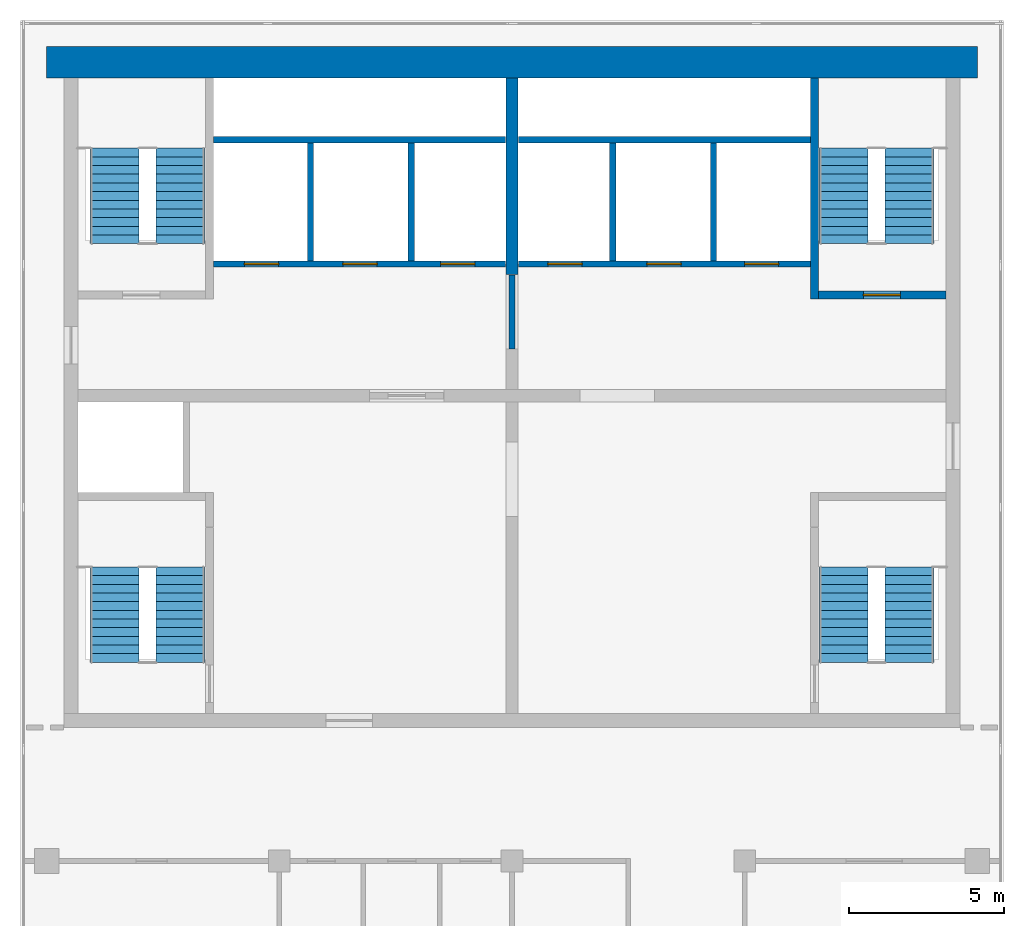
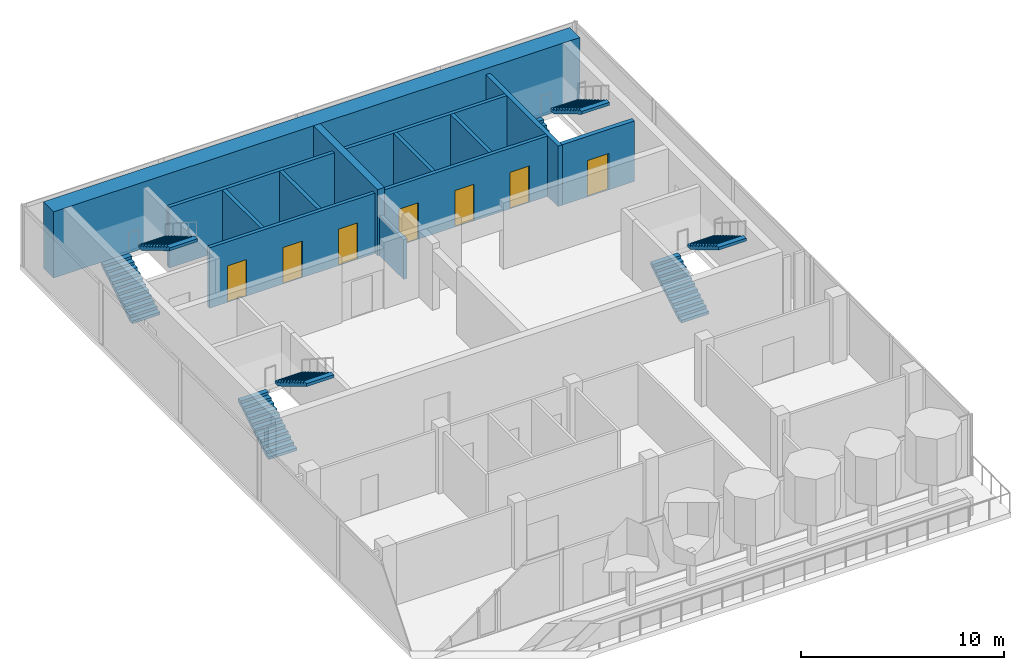
# One storey, part 4 of 6: 13 walls, 8 stair flights, 7 doors, 7 openings, 4 elements without a shape of their own.
"""IFC4 building model written with IfcOpenShell, lengths in metres."""

from ifc_helpers import new_model, si_unit, direction, frame, frame_2d, origin, place, context, subcontext, project, spatial, polyline, rectangle, outline, extrude, material, layer, layer_set, type_object, element, fill, aggregate, save


model = new_model("IFC4")

# Units and contexts
model_context = context("Model", 3, precision=1e-05, world=origin(), true_north=direction((0.0, 1.0)))
body_context = subcontext(model_context, "Body", "Model", "MODEL_VIEW")
ifc_project = project(units=[si_unit("LENGTHUNIT", "METRE"), si_unit("AREAUNIT", "SQUARE_METRE"), si_unit("VOLUMEUNIT", "CUBIC_METRE"), si_unit("PLANEANGLEUNIT", "RADIAN"), si_unit("MASSUNIT", "GRAM", prefix="KILO")], contexts=[model_context])

# Site, building, storey
site_placement = place(None, origin())
site = spatial("IfcSite", under=ifc_project, at=site_placement, CompositionType="ELEMENT")
building_placement = place(site_placement, origin())
building = spatial("IfcBuilding", under=site, at=building_placement, Name="Pilkhan Gate Tower", CompositionType="ELEMENT")
storey_placement = place(building_placement, frame((0.0, 0.0, 283.699951171875)))
storey = spatial("IfcBuildingStorey", under=building, at=storey_placement, Name="L74", CompositionType="ELEMENT", Elevation=283.699951171875)

# Walls
ifc_material_1 = material(Name="Concrete C50/60", Category="concrete")
ifc_layer_1 = layer(ifc_material_1, 1.0)
ifc_layer_set_1 = layer_set([ifc_layer_1], Name="Core wall CW1000 C50/60")
wall_type_1 = type_object("IfcWallType", Name="Core wall CW1000 C50/60", PredefinedType="SHEAR", material=ifc_layer_set_1)
wall_1_placement = place(storey_placement, frame((90.0, 93.25, 0.0), z_axis=(0.0, 0.0, 1.0), x_axis=(-1.0, 0.0, 0.0)))
element("IfcWall", 1, at=wall_1_placement, inside=storey, type_object=wall_type_1, Name="Core wall N L74", PredefinedType="SHEAR", context=body_context, shape_type="SweptSolid", body=[
    extrude(rectangle(XDim=30.0, YDim=1.0, at=frame_2d((15.0, 0.0))), origin(), (0.0, 0.0, 1.0), 4.0),
])
ifc_material_2 = material(Name="Dense blockwork", Category="masonry")
ifc_layer_2 = layer(ifc_material_2, 0.199951171875)
ifc_layer_set_2 = layer_set([ifc_layer_2], Name="Lobby wall LW200")
wall_type_2 = type_object("IfcWallType", Name="Lobby wall LW200", PredefinedType="PARTITIONING", material=ifc_layer_set_2)
wall_2_placement = place(storey_placement, frame((75.0, 84.010009765625, 0.0), z_axis=(0.0, 0.0, 1.0), x_axis=(0.0, 1.0, 0.0)))
element("IfcWall", 2, at=wall_2_placement, inside=storey, type_object=wall_type_2, Name="Partition L74", PredefinedType="PARTITIONING", context=body_context, shape_type="SweptSolid", body=[
    extrude(rectangle(XDim=2.3798828125, YDim=0.199951171875, at=frame_2d((1.18994140625, 0.0))), origin(), (0.0, 0.0, 1.0), 2.400146484375),
])

# Wall, openings, doors
ifc_material_3 = material(Name="Reinforced blockwork shaft wall, 120 minute fire resisting", Category="masonry")
ifc_layer_3 = layer(ifc_material_3, 0.199951171875)
ifc_layer_set_3 = layer_set([ifc_layer_3], Name="Shaft wall SW200")
wall_type_3 = type_object("IfcWallType", Name="Shaft wall SW200", PredefinedType="PARTITIONING", material=ifc_layer_set_3)
wall_3_placement = place(storey_placement, frame((65.375, 86.75, 0.0), z_axis=(0.0, 0.0, 1.0), x_axis=(1.0, 0.0, 0.0)))
wall_3 = element("IfcWall", 3, at=wall_3_placement, inside=storey, type_object=wall_type_3, Name="Partition L74", PredefinedType="PARTITIONING", context=body_context, shape_type="SweptSolid", body=[
    extrude(rectangle(XDim=9.4150390625, YDim=0.199951171875, at=frame_2d((4.70751953125, 0.0))), origin(), (0.0, 0.0, 1.0), 3.650146484375),
])
opening_1_placement = place(wall_3_placement, frame((1.0, 0.0, 0.0)))
opening_1 = element("IfcOpeningElement", 4, at=opening_1_placement, cuts=wall_3, Name="Opening LD", PredefinedType="OPENING", context=body_context, shape_type="SweptSolid", body=[
    extrude(rectangle(XDim=1.10009765625, YDim=2.199951171875, at=frame_2d((0.550048828125, 1.10009765625))), frame((0.0, 0.10986328125, 0.0), z_axis=(0.0, -1.0, 0.0), x_axis=(1.0, 0.0, 0.0)), (0.0, 0.0, 1.0), 0.219970703125),
])
opening_2_placement = place(wall_3_placement, frame((4.175048828125, 0.0, 0.0)))
opening_2 = element("IfcOpeningElement", 5, at=opening_2_placement, cuts=wall_3, Name="Opening LD", PredefinedType="OPENING", context=body_context, shape_type="SweptSolid", body=[
    extrude(rectangle(XDim=1.10009765625, YDim=2.199951171875, at=frame_2d((0.550048828125, 1.10009765625))), frame((0.0, 0.10986328125, 0.0), z_axis=(0.0, -1.0, 0.0), x_axis=(1.0, 0.0, 0.0)), (0.0, 0.0, 1.0), 0.219970703125),
])
opening_3_placement = place(wall_3_placement, frame((7.324951171875, 0.0, 0.0)))
opening_3 = element("IfcOpeningElement", 6, at=opening_3_placement, cuts=wall_3, Name="Opening LD", PredefinedType="OPENING", context=body_context, shape_type="SweptSolid", body=[
    extrude(rectangle(XDim=1.10009765625, YDim=2.199951171875, at=frame_2d((0.550048828125, 1.10009765625))), frame((0.0, 0.10986328125, 0.0), z_axis=(0.0, -1.0, 0.0), x_axis=(1.0, 0.0, 0.0)), (0.0, 0.0, 1.0), 0.219970703125),
])
ifc_material_4 = material(Name="Stainless steel centre-opening landing door, 120 minute fire resisting", Category="steel")
door_type_1 = type_object("IfcDoorType", Name="Lift landing door LD 1100x2200", OperationType="DOUBLE_DOOR_SLIDING", PredefinedType="DOOR", material=ifc_material_4)
door_1_placement = place(opening_1_placement, origin())
door_1 = element("IfcDoor", 7, at=door_1_placement, inside=storey, type_object=door_type_1, Name="Landing door FF1", OperationType="DOUBLE_DOOR_SLIDING", OverallHeight=2.199951171875, OverallWidth=1.10009765625, PredefinedType="DOOR", context=body_context, shape_type="SweptSolid", body=[
    extrude(rectangle(XDim=1.10009765625, YDim=2.199951171875, at=frame_2d((0.550048828125, 1.10009765625))), frame((0.0, 0.02490234375, 0.0), z_axis=(0.0, -1.0, 0.0), x_axis=(1.0, 0.0, 0.0)), (0.0, 0.0, 1.0), 0.050048828125),
])
fill(opening_1, door_1)
door_2_placement = place(opening_2_placement, origin())
door_2 = element("IfcDoor", 8, at=door_2_placement, inside=storey, type_object=door_type_1, Name="Landing door FF2", OperationType="DOUBLE_DOOR_SLIDING", OverallHeight=2.199951171875, OverallWidth=1.10009765625, PredefinedType="DOOR", context=body_context, shape_type="SweptSolid", body=[
    extrude(rectangle(XDim=1.10009765625, YDim=2.199951171875, at=frame_2d((0.550048828125, 1.10009765625))), frame((0.0, 0.02490234375, 0.0), z_axis=(0.0, -1.0, 0.0), x_axis=(1.0, 0.0, 0.0)), (0.0, 0.0, 1.0), 0.050048828125),
])
fill(opening_2, door_2)
door_3_placement = place(opening_3_placement, origin())
door_3 = element("IfcDoor", 9, at=door_3_placement, inside=storey, type_object=door_type_1, Name="Landing door SV1", OperationType="DOUBLE_DOOR_SLIDING", OverallHeight=2.199951171875, OverallWidth=1.10009765625, PredefinedType="DOOR", context=body_context, shape_type="SweptSolid", body=[
    extrude(rectangle(XDim=1.10009765625, YDim=2.199951171875, at=frame_2d((0.550048828125, 1.10009765625))), frame((0.0, 0.02490234375, 0.0), z_axis=(0.0, -1.0, 0.0), x_axis=(1.0, 0.0, 0.0)), (0.0, 0.0, 1.0), 0.050048828125),
])
fill(opening_3, door_3)

wall_4_placement = place(storey_placement, frame((75.2099609375, 86.75, 0.0), z_axis=(0.0, 0.0, 1.0), x_axis=(1.0, 0.0, 0.0)))
wall_4 = element("IfcWall", 10, at=wall_4_placement, inside=storey, type_object=wall_type_3, Name="Partition L74", PredefinedType="PARTITIONING", context=body_context, shape_type="SweptSolid", body=[
    extrude(rectangle(XDim=9.4150390625, YDim=0.199951171875, at=frame_2d((4.70751953125, 0.0))), origin(), (0.0, 0.0, 1.0), 3.650146484375),
])
opening_4_placement = place(wall_4_placement, frame((0.949951171875, 0.0, 0.0)))
opening_4 = element("IfcOpeningElement", 11, at=opening_4_placement, cuts=wall_4, Name="Opening LD", PredefinedType="OPENING", context=body_context, shape_type="SweptSolid", body=[
    extrude(rectangle(XDim=1.10009765625, YDim=2.199951171875, at=frame_2d((0.550048828125, 1.10009765625))), frame((0.0, 0.10986328125, 0.0), z_axis=(0.0, -1.0, 0.0), x_axis=(1.0, 0.0, 0.0)), (0.0, 0.0, 1.0), 0.219970703125),
])
opening_5_placement = place(wall_4_placement, frame((4.139892578125, 0.0, 0.0)))
opening_5 = element("IfcOpeningElement", 12, at=opening_5_placement, cuts=wall_4, Name="Opening LD", PredefinedType="OPENING", context=body_context, shape_type="SweptSolid", body=[
    extrude(rectangle(XDim=1.10009765625, YDim=2.199951171875, at=frame_2d((0.550048828125, 1.10009765625))), frame((0.0, 0.10986328125, 0.0), z_axis=(0.0, -1.0, 0.0), x_axis=(1.0, 0.0, 0.0)), (0.0, 0.0, 1.0), 0.219970703125),
])
opening_6_placement = place(wall_4_placement, frame((7.2900390625, 0.0, 0.0)))
opening_6 = element("IfcOpeningElement", 13, at=opening_6_placement, cuts=wall_4, Name="Opening LD", PredefinedType="OPENING", context=body_context, shape_type="SweptSolid", body=[
    extrude(rectangle(XDim=1.10009765625, YDim=2.199951171875, at=frame_2d((0.550048828125, 1.10009765625))), frame((0.0, 0.10986328125, 0.0), z_axis=(0.0, -1.0, 0.0), x_axis=(1.0, 0.0, 0.0)), (0.0, 0.0, 1.0), 0.219970703125),
])
door_4_placement = place(opening_4_placement, origin())
door_4 = element("IfcDoor", 14, at=door_4_placement, inside=storey, type_object=door_type_1, Name="Landing door HR1", OperationType="DOUBLE_DOOR_SLIDING", OverallHeight=2.199951171875, OverallWidth=1.10009765625, PredefinedType="DOOR", context=body_context, shape_type="SweptSolid", body=[
    extrude(rectangle(XDim=1.10009765625, YDim=2.199951171875, at=frame_2d((0.550048828125, 1.10009765625))), frame((0.0, 0.02490234375, 0.0), z_axis=(0.0, -1.0, 0.0), x_axis=(1.0, 0.0, 0.0)), (0.0, 0.0, 1.0), 0.050048828125),
])
fill(opening_4, door_4)
door_5_placement = place(opening_5_placement, origin())
door_5 = element("IfcDoor", 15, at=door_5_placement, inside=storey, type_object=door_type_1, Name="Landing door HR2", OperationType="DOUBLE_DOOR_SLIDING", OverallHeight=2.199951171875, OverallWidth=1.10009765625, PredefinedType="DOOR", context=body_context, shape_type="SweptSolid", body=[
    extrude(rectangle(XDim=1.10009765625, YDim=2.199951171875, at=frame_2d((0.550048828125, 1.10009765625))), frame((0.0, 0.02490234375, 0.0), z_axis=(0.0, -1.0, 0.0), x_axis=(1.0, 0.0, 0.0)), (0.0, 0.0, 1.0), 0.050048828125),
])
fill(opening_5, door_5)
door_6_placement = place(opening_6_placement, origin())
door_6 = element("IfcDoor", 16, at=door_6_placement, inside=storey, type_object=door_type_1, Name="Landing door HR3", OperationType="DOUBLE_DOOR_SLIDING", OverallHeight=2.199951171875, OverallWidth=1.10009765625, PredefinedType="DOOR", context=body_context, shape_type="SweptSolid", body=[
    extrude(rectangle(XDim=1.10009765625, YDim=2.199951171875, at=frame_2d((0.550048828125, 1.10009765625))), frame((0.0, 0.02490234375, 0.0), z_axis=(0.0, -1.0, 0.0), x_axis=(1.0, 0.0, 0.0)), (0.0, 0.0, 1.0), 0.050048828125),
])
fill(opening_6, door_6)

# Walls
for number, where, z_axis, x_axis, name in (
    (17, (65.375, 90.75, 0.0), (0.0, 0.0, 1.0), (1.0, 0.0, 0.0), "Partition L74"),
    (18, (75.2099609375, 90.75, 0.0), (0.0, 0.0, 1.0), (1.0, 0.0, 0.0), "Partition L74"),
):
    element("IfcWall", number, at=place(storey_placement, frame(where, z_axis=z_axis, x_axis=x_axis)), inside=storey, type_object=wall_type_3, Name=name, PredefinedType="PARTITIONING", context=body_context, shape_type="SweptSolid", body=[
        extrude(rectangle(XDim=9.4150390625, YDim=0.199951171875, at=frame_2d((4.70751953125, 0.0))), origin(), (0.0, 0.0, 1.0), 3.650146484375),
    ])
for number, where, z_axis, x_axis, name in (
    (19, (68.5, 86.85009765625, 0.0), (0.0, 0.0, 1.0), (0.0, 1.0, 0.0), "Partition L74"),
    (20, (71.75, 86.85009765625, 0.0), (0.0, 0.0, 1.0), (0.0, 1.0, 0.0), "Partition L74"),
    (21, (78.25, 86.85009765625, 0.0), (0.0, 0.0, 1.0), (0.0, 1.0, 0.0), "Partition L74"),
    (22, (81.5, 86.85009765625, 0.0), (0.0, 0.0, 1.0), (0.0, 1.0, 0.0), "Partition L74"),
):
    element("IfcWall", number, at=place(storey_placement, frame(where, z_axis=z_axis, x_axis=x_axis)), inside=storey, type_object=wall_type_3, Name=name, PredefinedType="PARTITIONING", context=body_context, shape_type="SweptSolid", body=[
        extrude(rectangle(XDim=3.7998046875, YDim=0.199951171875, at=frame_2d((1.89990234375, 0.0))), origin(), (0.0, 0.0, 1.0), 3.650146484375),
    ])
ifc_layer_4 = layer(ifc_material_1, 0.39990234375)
ifc_layer_set_4 = layer_set([ifc_layer_4], Name="Spine wall SW400 C50/60")
wall_type_4 = type_object("IfcWallType", Name="Spine wall SW400 C50/60", PredefinedType="SHEAR", material=ifc_layer_set_4)
wall_5_placement = place(storey_placement, frame((75.0, 86.39990234375, 0.0), z_axis=(0.0, 0.0, 1.0), x_axis=(0.0, 1.0, 0.0)))
element("IfcWall", 23, at=wall_5_placement, inside=storey, type_object=wall_type_4, Name="Spine wall SP-NS-N2 L74", PredefinedType="SHEAR", context=body_context, shape_type="SweptSolid", body=[
    extrude(rectangle(XDim=6.35009765625, YDim=0.39990234375, at=frame_2d((3.175048828125, 0.0))), origin(), (0.0, 0.0, 1.0), 4.0),
])

# Wall, opening, door
ifc_material_5 = material(Name="Reinforced blockwork, 120 minute fire resisting", Category="masonry")
ifc_layer_5 = layer(ifc_material_5, 0.25)
ifc_layer_set_5 = layer_set([ifc_layer_5], Name="Stair enclosure wall SE250")
wall_type_5 = type_object("IfcWallType", Name="Stair enclosure wall SE250", PredefinedType="PARTITIONING", material=ifc_layer_set_5)
wall_6_placement = place(storey_placement, frame((84.875, 85.75, 0.0), z_axis=(0.0, 0.0, 1.0), x_axis=(1.0, 0.0, 0.0)))
wall_6 = element("IfcWall", 24, at=wall_6_placement, inside=storey, type_object=wall_type_5, Name="Partition L74", PredefinedType="PARTITIONING", context=body_context, shape_type="SweptSolid", body=[
    extrude(rectangle(XDim=4.114990234375, YDim=0.25, at=frame_2d((2.0576171875, 0.0))), origin(), (0.0, 0.0, 1.0), 3.650146484375),
])
opening_7_placement = place(wall_6_placement, frame((1.449951171875, 0.0, 0.0)))
opening_7 = element("IfcOpeningElement", 25, at=opening_7_placement, cuts=wall_6, Name="Opening L74-03", PredefinedType="OPENING", context=body_context, shape_type="SweptSolid", body=[
    extrude(rectangle(XDim=1.199951171875, YDim=2.199951171875, at=frame_2d((0.60009765625, 1.10009765625))), frame((0.0, 0.135009765625, 0.0), z_axis=(0.0, -1.0, 0.0), x_axis=(1.0, 0.0, 0.0)), (0.0, 0.0, 1.0), 0.27001953125),
])
ifc_material_6 = material(Name="Steel door, 120 minute fire resisting, panic bar", Category="steel")
door_type_2 = type_object("IfcDoorType", Name="Stair door D11 1200x2200", OperationType="SINGLE_SWING_LEFT", PredefinedType="DOOR", material=ifc_material_6)
door_7_placement = place(opening_7_placement, origin())
door_7 = element("IfcDoor", 26, at=door_7_placement, inside=storey, type_object=door_type_2, Name="Stair ST4 lobby door", OperationType="SINGLE_SWING_RIGHT", OverallHeight=2.199951171875, OverallWidth=1.199951171875, PredefinedType="DOOR", context=body_context, shape_type="SweptSolid", body=[
    extrude(rectangle(XDim=1.199951171875, YDim=2.199951171875, at=frame_2d((0.60009765625, 1.10009765625))), frame((0.0, 0.02490234375, 0.0), z_axis=(0.0, -1.0, 0.0), x_axis=(1.0, 0.0, 0.0)), (0.0, 0.0, 1.0), 0.050048828125),
])
fill(opening_7, door_7)

# Wall
wall_7_placement = place(storey_placement, frame((84.75, 85.625, 0.0), z_axis=(0.0, 0.0, 1.0), x_axis=(0.0, 1.0, 0.0)))
element("IfcWall", 27, at=wall_7_placement, inside=storey, type_object=wall_type_5, Name="Partition L74", PredefinedType="PARTITIONING", context=body_context, shape_type="SweptSolid", body=[
    extrude(rectangle(XDim=7.114990234375, YDim=0.25, at=frame_2d((3.5576171875, 0.0))), origin(), (0.0, 0.0, 1.0), 3.650146484375),
])

# Stair, stair flights
ifc_material_7 = material(Name="Concrete C40/50 precast", Category="concrete")
stair_type_1 = type_object("IfcStairType", Name="Stair ST1 167x280", PredefinedType="HALF_TURN_STAIR", material=ifc_material_7)
stair_1_placement = place(storey_placement, origin())
stair_1 = element("IfcStair", 28, at=stair_1_placement, inside=storey, type_object=stair_type_1, Name="Stair ST1 L74", PredefinedType="HALF_TURN_STAIR")
stair_flight_type_1 = type_object("IfcStairFlightType", Name="Stair flight ST1 167x280x12", PredefinedType="STRAIGHT", material=ifc_material_7)
stair_flight_1_placement = place(storey_placement, frame((85.68994140625, 73.89990234375, 0.0), z_axis=(0.0, 0.0, 1.0), x_axis=(0.0, 1.0, 0.0)))
stair_flight_1 = element("IfcStairFlight", 29, at=stair_flight_1_placement, type_object=stair_flight_type_1, Name="ST1 flight 1", NumberOfRisers=12, NumberOfTreads=11, PredefinedType="STRAIGHT", RiserHeight=0.166666667, TreadLength=0.28, context=body_context, shape_type="SweptSolid", body=[
    extrude(outline(polyline([(0.0, 0.0), (0.0, 0.166748046875), (0.280029296875, 0.166748046875), (0.280029296875, 0.333251953125), (0.56005859375, 0.333251953125), (0.56005859375, 0.5), (0.840087890625, 0.5), (0.840087890625, 0.666748046875), (1.1201171875, 0.666748046875), (1.1201171875, 0.833251953125), (1.39990234375, 0.833251953125), (1.39990234375, 1.0), (1.679931640625, 1.0), (1.679931640625, 1.166748046875), (1.9599609375, 1.166748046875), (1.9599609375, 1.333251953125), (2.239990234375, 1.333251953125), (2.239990234375, 1.5), (2.52001953125, 1.5), (2.52001953125, 1.666748046875), (2.800048828125, 1.666748046875), (2.800048828125, 1.833251953125), (3.080078125, 1.833251953125), (3.080078125, 2.0), (3.080078125, 1.658935546875), (0.29296875, 0.0), (0.0, 0.0)])), frame((0.0, 0.7900390625, 0.0), z_axis=(0.0, -1.0, 0.0), x_axis=(1.0, 0.0, 0.0)), (0.0, 0.0, 1.0), 1.580078125),
])
stair_flight_2_placement = place(storey_placement, frame((87.81005859375, 76.97998046875, 2.0), z_axis=(0.0, 0.0, 1.0), x_axis=(0.0, -1.0, 0.0)))
stair_flight_2 = element("IfcStairFlight", 30, at=stair_flight_2_placement, type_object=stair_flight_type_1, Name="ST1 flight 2", NumberOfRisers=12, NumberOfTreads=11, PredefinedType="STRAIGHT", RiserHeight=0.166666667, TreadLength=0.28, context=body_context, shape_type="SweptSolid", body=[
    extrude(outline(polyline([(0.0, 0.0), (0.0, 0.166748046875), (0.280029296875, 0.166748046875), (0.280029296875, 0.333251953125), (0.56005859375, 0.333251953125), (0.56005859375, 0.5), (0.840087890625, 0.5), (0.840087890625, 0.666748046875), (1.1201171875, 0.666748046875), (1.1201171875, 0.833251953125), (1.39990234375, 0.833251953125), (1.39990234375, 1.0), (1.679931640625, 1.0), (1.679931640625, 1.166748046875), (1.9599609375, 1.166748046875), (1.9599609375, 1.333251953125), (2.239990234375, 1.333251953125), (2.239990234375, 1.5), (2.52001953125, 1.5), (2.52001953125, 1.666748046875), (2.800048828125, 1.666748046875), (2.800048828125, 1.833251953125), (3.080078125, 1.833251953125), (3.080078125, 2.0), (3.080078125, 1.658935546875), (0.29296875, 0.0), (0.0, 0.0)])), frame((0.0, 0.7900390625, 0.0), z_axis=(0.0, -1.0, 0.0), x_axis=(1.0, 0.0, 0.0)), (0.0, 0.0, 1.0), 1.580078125),
])
aggregate(stair_1, [stair_flight_1, stair_flight_2])

stair_type_2 = type_object("IfcStairType", Name="Stair ST2 167x280", PredefinedType="HALF_TURN_STAIR", material=ifc_material_7)
stair_2_placement = place(storey_placement, origin())
stair_2 = element("IfcStair", 31, at=stair_2_placement, inside=storey, type_object=stair_type_2, Name="Stair ST2 L74", PredefinedType="HALF_TURN_STAIR")
stair_flight_type_2 = type_object("IfcStairFlightType", Name="Stair flight ST2 167x280x12", PredefinedType="STRAIGHT", material=ifc_material_7)
stair_flight_3_placement = place(storey_placement, frame((62.18994140625, 73.89990234375, 0.0), z_axis=(0.0, 0.0, 1.0), x_axis=(0.0, 1.0, 0.0)))
stair_flight_3 = element("IfcStairFlight", 32, at=stair_flight_3_placement, type_object=stair_flight_type_2, Name="ST2 flight 1", NumberOfRisers=12, NumberOfTreads=11, PredefinedType="STRAIGHT", RiserHeight=0.166666667, TreadLength=0.28, context=body_context, shape_type="SweptSolid", body=[
    extrude(outline(polyline([(0.0, 0.0), (0.0, 0.166748046875), (0.280029296875, 0.166748046875), (0.280029296875, 0.333251953125), (0.56005859375, 0.333251953125), (0.56005859375, 0.5), (0.840087890625, 0.5), (0.840087890625, 0.666748046875), (1.1201171875, 0.666748046875), (1.1201171875, 0.833251953125), (1.39990234375, 0.833251953125), (1.39990234375, 1.0), (1.679931640625, 1.0), (1.679931640625, 1.166748046875), (1.9599609375, 1.166748046875), (1.9599609375, 1.333251953125), (2.239990234375, 1.333251953125), (2.239990234375, 1.5), (2.52001953125, 1.5), (2.52001953125, 1.666748046875), (2.800048828125, 1.666748046875), (2.800048828125, 1.833251953125), (3.080078125, 1.833251953125), (3.080078125, 2.0), (3.080078125, 1.658935546875), (0.29296875, 0.0), (0.0, 0.0)])), frame((0.0, 0.7900390625, 0.0), z_axis=(0.0, -1.0, 0.0), x_axis=(1.0, 0.0, 0.0)), (0.0, 0.0, 1.0), 1.580078125),
])
stair_flight_4_placement = place(storey_placement, frame((64.31005859375, 76.97998046875, 2.0), z_axis=(0.0, 0.0, 1.0), x_axis=(0.0, -1.0, 0.0)))
stair_flight_4 = element("IfcStairFlight", 33, at=stair_flight_4_placement, type_object=stair_flight_type_2, Name="ST2 flight 2", NumberOfRisers=12, NumberOfTreads=11, PredefinedType="STRAIGHT", RiserHeight=0.166666667, TreadLength=0.28, context=body_context, shape_type="SweptSolid", body=[
    extrude(outline(polyline([(0.0, 0.0), (0.0, 0.166748046875), (0.280029296875, 0.166748046875), (0.280029296875, 0.333251953125), (0.56005859375, 0.333251953125), (0.56005859375, 0.5), (0.840087890625, 0.5), (0.840087890625, 0.666748046875), (1.1201171875, 0.666748046875), (1.1201171875, 0.833251953125), (1.39990234375, 0.833251953125), (1.39990234375, 1.0), (1.679931640625, 1.0), (1.679931640625, 1.166748046875), (1.9599609375, 1.166748046875), (1.9599609375, 1.333251953125), (2.239990234375, 1.333251953125), (2.239990234375, 1.5), (2.52001953125, 1.5), (2.52001953125, 1.666748046875), (2.800048828125, 1.666748046875), (2.800048828125, 1.833251953125), (3.080078125, 1.833251953125), (3.080078125, 2.0), (3.080078125, 1.658935546875), (0.29296875, 0.0), (0.0, 0.0)])), frame((0.0, 0.7900390625, 0.0), z_axis=(0.0, -1.0, 0.0), x_axis=(1.0, 0.0, 0.0)), (0.0, 0.0, 1.0), 1.580078125),
])
aggregate(stair_2, [stair_flight_3, stair_flight_4])

stair_type_3 = type_object("IfcStairType", Name="Stair ST3 167x280", PredefinedType="HALF_TURN_STAIR", material=ifc_material_7)
stair_3_placement = place(storey_placement, origin())
stair_3 = element("IfcStair", 34, at=stair_3_placement, inside=storey, type_object=stair_type_3, Name="Stair ST3 L74", PredefinedType="HALF_TURN_STAIR")
stair_flight_type_3 = type_object("IfcStairFlightType", Name="Stair flight ST3 167x280x12", PredefinedType="STRAIGHT", material=ifc_material_7)
stair_flight_5_placement = place(storey_placement, frame((62.18994140625, 87.39990234375, 0.0), z_axis=(0.0, 0.0, 1.0), x_axis=(0.0, 1.0, 0.0)))
stair_flight_5 = element("IfcStairFlight", 35, at=stair_flight_5_placement, type_object=stair_flight_type_3, Name="ST3 flight 1", NumberOfRisers=12, NumberOfTreads=11, PredefinedType="STRAIGHT", RiserHeight=0.166666667, TreadLength=0.28, context=body_context, shape_type="SweptSolid", body=[
    extrude(outline(polyline([(0.0, 0.0), (0.0, 0.166748046875), (0.280029296875, 0.166748046875), (0.280029296875, 0.333251953125), (0.56005859375, 0.333251953125), (0.56005859375, 0.5), (0.840087890625, 0.5), (0.840087890625, 0.666748046875), (1.1201171875, 0.666748046875), (1.1201171875, 0.833251953125), (1.39990234375, 0.833251953125), (1.39990234375, 1.0), (1.679931640625, 1.0), (1.679931640625, 1.166748046875), (1.9599609375, 1.166748046875), (1.9599609375, 1.333251953125), (2.239990234375, 1.333251953125), (2.239990234375, 1.5), (2.52001953125, 1.5), (2.52001953125, 1.666748046875), (2.800048828125, 1.666748046875), (2.800048828125, 1.833251953125), (3.080078125, 1.833251953125), (3.080078125, 2.0), (3.080078125, 1.658935546875), (0.29296875, 0.0), (0.0, 0.0)])), frame((0.0, 0.7900390625, 0.0), z_axis=(0.0, -1.0, 0.0), x_axis=(1.0, 0.0, 0.0)), (0.0, 0.0, 1.0), 1.580078125),
])
stair_flight_6_placement = place(storey_placement, frame((64.31005859375, 90.47998046875, 2.0), z_axis=(0.0, 0.0, 1.0), x_axis=(0.0, -1.0, 0.0)))
stair_flight_6 = element("IfcStairFlight", 36, at=stair_flight_6_placement, type_object=stair_flight_type_3, Name="ST3 flight 2", NumberOfRisers=12, NumberOfTreads=11, PredefinedType="STRAIGHT", RiserHeight=0.166666667, TreadLength=0.28, context=body_context, shape_type="SweptSolid", body=[
    extrude(outline(polyline([(0.0, 0.0), (0.0, 0.166748046875), (0.280029296875, 0.166748046875), (0.280029296875, 0.333251953125), (0.56005859375, 0.333251953125), (0.56005859375, 0.5), (0.840087890625, 0.5), (0.840087890625, 0.666748046875), (1.1201171875, 0.666748046875), (1.1201171875, 0.833251953125), (1.39990234375, 0.833251953125), (1.39990234375, 1.0), (1.679931640625, 1.0), (1.679931640625, 1.166748046875), (1.9599609375, 1.166748046875), (1.9599609375, 1.333251953125), (2.239990234375, 1.333251953125), (2.239990234375, 1.5), (2.52001953125, 1.5), (2.52001953125, 1.666748046875), (2.800048828125, 1.666748046875), (2.800048828125, 1.833251953125), (3.080078125, 1.833251953125), (3.080078125, 2.0), (3.080078125, 1.658935546875), (0.29296875, 0.0), (0.0, 0.0)])), frame((0.0, 0.7900390625, 0.0), z_axis=(0.0, -1.0, 0.0), x_axis=(1.0, 0.0, 0.0)), (0.0, 0.0, 1.0), 1.580078125),
])
aggregate(stair_3, [stair_flight_5, stair_flight_6])

stair_type_4 = type_object("IfcStairType", Name="Stair ST4 167x280", PredefinedType="HALF_TURN_STAIR", material=ifc_material_7)
stair_4_placement = place(storey_placement, origin())
stair_4 = element("IfcStair", 37, at=stair_4_placement, inside=storey, type_object=stair_type_4, Name="Stair ST4 L74", PredefinedType="HALF_TURN_STAIR")
stair_flight_type_4 = type_object("IfcStairFlightType", Name="Stair flight ST4 167x280x12", PredefinedType="STRAIGHT", material=ifc_material_7)
stair_flight_7_placement = place(storey_placement, frame((85.68994140625, 87.39990234375, 0.0), z_axis=(0.0, 0.0, 1.0), x_axis=(0.0, 1.0, 0.0)))
stair_flight_7 = element("IfcStairFlight", 38, at=stair_flight_7_placement, type_object=stair_flight_type_4, Name="ST4 flight 1", NumberOfRisers=12, NumberOfTreads=11, PredefinedType="STRAIGHT", RiserHeight=0.166666667, TreadLength=0.28, context=body_context, shape_type="SweptSolid", body=[
    extrude(outline(polyline([(0.0, 0.0), (0.0, 0.166748046875), (0.280029296875, 0.166748046875), (0.280029296875, 0.333251953125), (0.56005859375, 0.333251953125), (0.56005859375, 0.5), (0.840087890625, 0.5), (0.840087890625, 0.666748046875), (1.1201171875, 0.666748046875), (1.1201171875, 0.833251953125), (1.39990234375, 0.833251953125), (1.39990234375, 1.0), (1.679931640625, 1.0), (1.679931640625, 1.166748046875), (1.9599609375, 1.166748046875), (1.9599609375, 1.333251953125), (2.239990234375, 1.333251953125), (2.239990234375, 1.5), (2.52001953125, 1.5), (2.52001953125, 1.666748046875), (2.800048828125, 1.666748046875), (2.800048828125, 1.833251953125), (3.080078125, 1.833251953125), (3.080078125, 2.0), (3.080078125, 1.658935546875), (0.29296875, 0.0), (0.0, 0.0)])), frame((0.0, 0.7900390625, 0.0), z_axis=(0.0, -1.0, 0.0), x_axis=(1.0, 0.0, 0.0)), (0.0, 0.0, 1.0), 1.580078125),
])
stair_flight_8_placement = place(storey_placement, frame((87.81005859375, 90.47998046875, 2.0), z_axis=(0.0, 0.0, 1.0), x_axis=(0.0, -1.0, 0.0)))
stair_flight_8 = element("IfcStairFlight", 39, at=stair_flight_8_placement, type_object=stair_flight_type_4, Name="ST4 flight 2", NumberOfRisers=12, NumberOfTreads=11, PredefinedType="STRAIGHT", RiserHeight=0.166666667, TreadLength=0.28, context=body_context, shape_type="SweptSolid", body=[
    extrude(outline(polyline([(0.0, 0.0), (0.0, 0.166748046875), (0.280029296875, 0.166748046875), (0.280029296875, 0.333251953125), (0.56005859375, 0.333251953125), (0.56005859375, 0.5), (0.840087890625, 0.5), (0.840087890625, 0.666748046875), (1.1201171875, 0.666748046875), (1.1201171875, 0.833251953125), (1.39990234375, 0.833251953125), (1.39990234375, 1.0), (1.679931640625, 1.0), (1.679931640625, 1.166748046875), (1.9599609375, 1.166748046875), (1.9599609375, 1.333251953125), (2.239990234375, 1.333251953125), (2.239990234375, 1.5), (2.52001953125, 1.5), (2.52001953125, 1.666748046875), (2.800048828125, 1.666748046875), (2.800048828125, 1.833251953125), (3.080078125, 1.833251953125), (3.080078125, 2.0), (3.080078125, 1.658935546875), (0.29296875, 0.0), (0.0, 0.0)])), frame((0.0, 0.7900390625, 0.0), z_axis=(0.0, -1.0, 0.0), x_axis=(1.0, 0.0, 0.0)), (0.0, 0.0, 1.0), 1.580078125),
])
aggregate(stair_4, [stair_flight_7, stair_flight_8])

save(model, "model.ifc")
